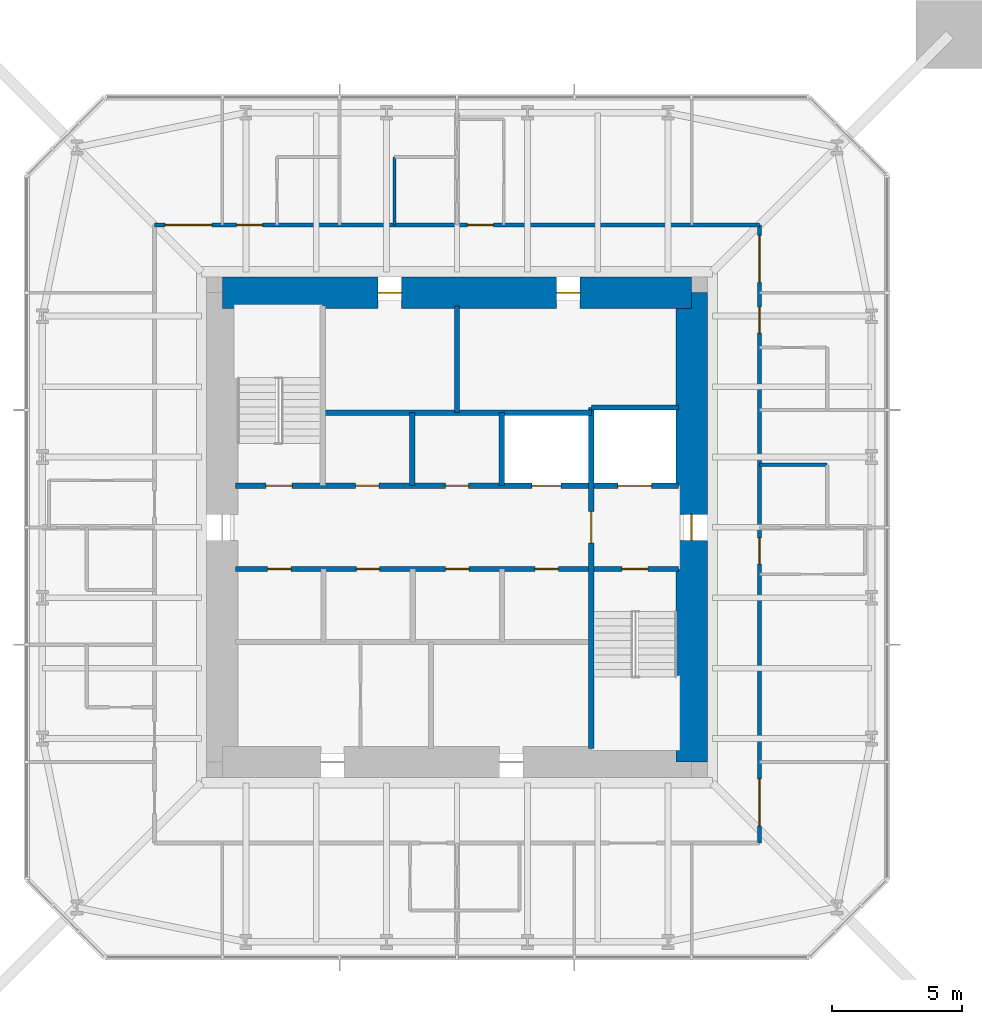
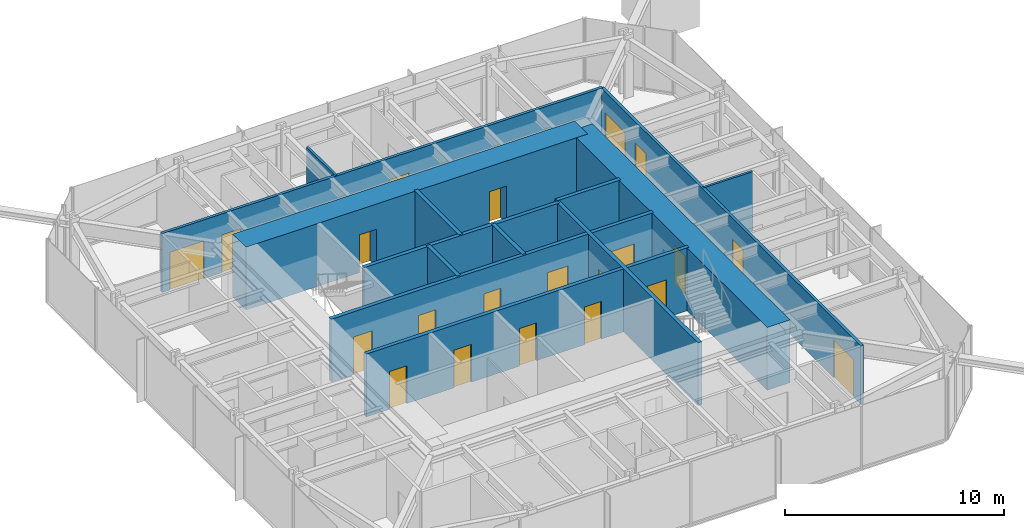
# One storey, part 7 of 9: 21 doors, 14 walls, 21 openings.
"""IFC4 building model written with IfcOpenShell, lengths in metres."""

import ifcopenshell
import ifcopenshell.guid

model = None  # the IFC model being written
_history = None  # IfcOwnerHistory: only IFC2X3 demands one
_inside = {}  # id of a spatial element -> (the spatial element, [elements in it])
_under = {}  # id of a project, library or spatial element -> (it, [spatial elements below it])
_declared = {}  # id of a project -> (the project, [libraries it declares])
_typed = {}  # id of a type object -> (the type object, [elements of that type])
_made_of = {}  # id of a material, layer set ... -> (it, [elements and type objects made of it])


def new_model(schema):
    """Start an empty IFC model of exactly this schema.

    Asked for "IFC4X3", IfcOpenShell would pick the latest addendum, in which some entities
    have other attributes; the version numbers below select the first issue.
    IFC2X3 requires an IfcOwnerHistory on every rooted entity: one is made here for all.
    """
    global model, _history
    if schema == "IFC4X3":
        model = ifcopenshell.file(schema_version=(4, 3, 0, 0))
    else:
        model = ifcopenshell.file(schema=schema)
    _inside.clear()
    _under.clear()
    _declared.clear()
    _typed.clear()
    _made_of.clear()
    _history = None
    if model.schema == "IFC2X3":
        org = make("IfcOrganization", Name="unknown")
        user = make(
            "IfcPersonAndOrganization",
            ThePerson=make("IfcPerson", FamilyName="unknown"),
            TheOrganization=org,
        )
        app = make(
            "IfcApplication",
            ApplicationDeveloper=org,
            Version="unknown",
            ApplicationFullName="unknown",
            ApplicationIdentifier="unknown",
        )
        _history = make(
            "IfcOwnerHistory",
            OwningUser=user,
            OwningApplication=app,
            ChangeAction="ADDED",
            CreationDate=0,
        )
    return model


def make(cls, **values):
    """One entity of the class cls with the attributes given. An attribute that is None is left unset."""
    return model.create_entity(
        cls, **{name: value for name, value in values.items() if value is not None}
    )


def rooted(cls, **values):
    """An entity with a GlobalId (a new one), such as an element, a storey or a relation."""
    return make(cls, GlobalId=ifcopenshell.guid.new(), OwnerHistory=_history, **values)


def si_unit(unit_type, name, prefix=None):
    """IfcSIUnit, for example si_unit("LENGTHUNIT", "METRE", prefix="MILLI")."""
    return make("IfcSIUnit", UnitType=unit_type, Prefix=prefix, Name=name)


def assignment(units):
    """IfcUnitAssignment: the units of a project."""
    return None if units is None else make("IfcUnitAssignment", Units=units)


def point(xyz):
    """IfcCartesianPoint."""
    return None if xyz is None else make("IfcCartesianPoint", Coordinates=xyz)


def direction(xyz):
    """IfcDirection."""
    return None if xyz is None else make("IfcDirection", DirectionRatios=xyz)


def frame(location, z_axis=None, x_axis=None):
    """IfcAxis2Placement3D, a coordinate frame: its origin and axes. An axis left out is left unset."""
    return make(
        "IfcAxis2Placement3D",
        Location=point(location),
        Axis=direction(z_axis),
        RefDirection=direction(x_axis),
    )


def frame_2d(location, x_axis=None):
    """IfcAxis2Placement2D, a coordinate frame in the plane: its origin and x axis."""
    return make(
        "IfcAxis2Placement2D", Location=point(location), RefDirection=direction(x_axis)
    )


def origin():
    """The frame at (0, 0, 0) with its axes left unset."""
    return frame((0.0, 0.0, 0.0))


def place(relative_to, where):
    """IfcLocalPlacement: puts the frame where relative to a parent placement (None: the world)."""
    return make(
        "IfcLocalPlacement", PlacementRelTo=relative_to, RelativePlacement=where
    )


def context(
    kind, dimensions, precision=None, world=None, true_north=None, identifier=None
):
    """IfcGeometricRepresentationContext, for example the 3D "Model" context."""
    return make(
        "IfcGeometricRepresentationContext",
        ContextIdentifier=identifier,
        ContextType=kind,
        CoordinateSpaceDimension=dimensions,
        Precision=precision,
        WorldCoordinateSystem=world,
        TrueNorth=true_north,
    )


def subcontext(parent, identifier, kind, view, scale=None):
    """IfcGeometricRepresentationSubContext, for example "Body" below "Model"."""
    return make(
        "IfcGeometricRepresentationSubContext",
        ContextIdentifier=identifier,
        ContextType=kind,
        ParentContext=parent,
        TargetScale=scale,
        TargetView=view,
    )


def project(units=None, contexts=None):
    """IfcProject with its units and contexts."""
    return rooted(
        "IfcProject",
        Name="project",
        RepresentationContexts=contexts,
        UnitsInContext=assignment(units),
    )


def spatial(cls, under=None, at=None, **own):
    """A site, building, storey or space (cls), placed at a placement, below another one or the project."""
    s = rooted(cls, ObjectPlacement=at, **own)
    if under is not None:
        _under.setdefault(under.id(), (under, []))[1].append(s)
    return s


def profile(cls, at=None, kind="AREA", **sizes):
    """A parametric profile (cls). Its sizes go by their IFC names, for example OverallWidth=200.0."""
    return make(cls, ProfileType=kind, Position=at, **sizes)


def rectangle(**sizes):
    """IfcRectangleProfileDef."""
    return profile("IfcRectangleProfileDef", **sizes)


def extrude(swept, where, along, depth):
    """IfcExtrudedAreaSolid: the profile swept, set in the frame where, extruded along a direction by depth."""
    return make(
        "IfcExtrudedAreaSolid",
        SweptArea=swept,
        Position=where,
        ExtrudedDirection=direction(along),
        Depth=depth,
    )


def shape(context_of_items, identifier, shape_type, items):
    """IfcShapeRepresentation: the items that make up one representation, for example the "Body"."""
    return make(
        "IfcShapeRepresentation",
        ContextOfItems=context_of_items,
        RepresentationIdentifier=identifier,
        RepresentationType=shape_type,
        Items=items,
    )


def material(Name=None, Category=None):
    """IfcMaterial."""
    return make("IfcMaterial", Name=Name, Category=Category)


def layer(
    of_material, thickness, ventilated=None, Name=None, Category=None, Priority=None
):
    """IfcMaterialLayer: one layer of a wall or slab, of a material (None: an air gap)."""
    return make(
        "IfcMaterialLayer",
        Material=of_material,
        LayerThickness=thickness,
        IsVentilated=ventilated,
        Name=Name,
        Category=Category,
        Priority=Priority,
    )


def layer_set(layers, Name=None):
    """IfcMaterialLayerSet."""
    return make("IfcMaterialLayerSet", MaterialLayers=layers, LayerSetName=Name)


def made_of(thing, what):
    """Note that an element or type object is made of a material, layer set ...; save() writes the relation."""
    if what is not None:
        _made_of.setdefault(what.id(), (what, []))[1].append(thing)
    return thing


def type_object(cls, material=None, **own):
    """A type object (cls), such as IfcWallType, which elements share."""
    return made_of(rooted(cls, **own), material)


def element(
    cls,
    number,
    at=None,
    inside=None,
    cuts=None,
    type_object=None,
    material=None,
    context=None,
    identifier="Body",
    shape_type=None,
    held_by="IfcProductDefinitionShape",
    body=None,
    shapes=None,
    **own,
):
    """One element of the class cls, such as IfcWall. Its Tag is "e" and its number.

    at: its placement. inside: the storey or other place that contains it. cuts: it is an
    opening in that element (IfcRelVoidsElement). A single representation is given by context,
    identifier, shape_type and body (its items); several are given by shapes. held_by: the class
    of the entity that holds the representations. save() writes the other relations.
    """
    e = rooted(cls, Tag="e%d" % number, ObjectPlacement=at, **own)
    if body is not None:
        shapes = [shape(context, identifier, shape_type, body)]
    if shapes is not None:
        e.Representation = make(held_by, Representations=shapes)
    if inside is not None:
        _inside.setdefault(inside.id(), (inside, []))[1].append(e)
    if cuts is not None:
        rooted(
            "IfcRelVoidsElement", RelatingBuildingElement=cuts, RelatedOpeningElement=e
        )
    if type_object is not None:
        _typed.setdefault(type_object.id(), (type_object, []))[1].append(e)
    return made_of(e, material)


def fill(opening, filler):
    """IfcRelFillsElement: the door or window that sits in an opening."""
    return rooted(
        "IfcRelFillsElement",
        RelatingOpeningElement=opening,
        RelatedBuildingElement=filler,
    )


def aggregate(whole, parts):
    """IfcRelAggregates: a whole, such as a stair, and the parts it consists of."""
    return rooted("IfcRelAggregates", RelatingObject=whole, RelatedObjects=parts)


def save(model, path):
    """Write the relations noted so far, then the file.

    IfcRelAggregates (storeys below a building ...), IfcRelContainedInSpatialStructure (elements
    in a storey), IfcRelDefinesByType, IfcRelAssociatesMaterial and IfcRelDeclares: one each for
    every whole, place, type object, material and project.
    """
    for whole, parts in _under.values():
        aggregate(whole, parts)
    for where, things in _inside.values():
        rooted(
            "IfcRelContainedInSpatialStructure",
            RelatedElements=things,
            RelatingStructure=where,
        )
    for kind, things in _typed.values():
        rooted("IfcRelDefinesByType", RelatedObjects=things, RelatingType=kind)
    for what, things in _made_of.values():
        rooted("IfcRelAssociatesMaterial", RelatedObjects=things, RelatingMaterial=what)
    for by, libraries in _declared.values():
        rooted("IfcRelDeclares", RelatingContext=by, RelatedDefinitions=libraries)
    model.write(path)


model = new_model("IFC4")

# Units and contexts
model_context = context("Model", 3, precision=1e-05, world=origin(), true_north=direction((0.0, 1.0)))
body_context = subcontext(model_context, "Body", "Model", "MODEL_VIEW")
ifc_project = project(units=[si_unit("LENGTHUNIT", "METRE"), si_unit("AREAUNIT", "SQUARE_METRE"), si_unit("VOLUMEUNIT", "CUBIC_METRE"), si_unit("PLANEANGLEUNIT", "RADIAN"), si_unit("MASSUNIT", "GRAM", prefix="KILO")], contexts=[model_context])

# Site, building, storey
site_placement = place(None, origin())
site = spatial("IfcSite", under=ifc_project, at=site_placement, CompositionType="ELEMENT")
building_placement = place(site_placement, origin())
building = spatial("IfcBuilding", under=site, at=building_placement, Name="Iwan Alto Co-Living Towers", CompositionType="ELEMENT")
storey_placement = place(building_placement, frame((0.0, 0.0, 236.0)))
storey = spatial("IfcBuildingStorey", under=building, at=storey_placement, Name="L64", CompositionType="ELEMENT", Elevation=236.0)

# Wall, openings, doors
ifc_material_1 = material(Name="Gypsum board")
ifc_layer_1 = layer(ifc_material_1, 0.02490234375, Name="Board", Category="Finish")
ifc_material_2 = material(Name="Steel ASTM A1003 ST33H cold-formed studs", Category="steel")
ifc_layer_2 = layer(ifc_material_2, 0.10009765625, Name="Studs", Category="Framing")
ifc_layer_3 = layer(ifc_material_1, 0.02490234375, Name="Board", Category="Finish")
ifc_layer_set_1 = layer_set([ifc_layer_1, ifc_layer_2, ifc_layer_3], Name="CORRIDOR WALL 150")
wall_type_1 = type_object("IfcWallType", Name="CORRIDOR WALL 150", PredefinedType="PARTITIONING", material=ifc_layer_set_1)
wall_1_placement = place(storey_placement, frame((-11.60009765625, 11.60009765625, 0.0), z_axis=(0.0, 0.0, 1.0), x_axis=(1.0, 0.0, 0.0)))
wall_1 = element("IfcWall", 1, at=wall_1_placement, inside=storey, type_object=wall_type_1, Name="Partition L64", PredefinedType="PARTITIONING", context=body_context, shape_type="SweptSolid", body=[
    extrude(rectangle(XDim=23.2001953125, YDim=0.14990234375, at=frame_2d((11.60009765625, 0.0))), origin(), (0.0, 0.0, 1.0), 3.27001953125),
])
opening_1_placement = place(wall_1_placement, frame((12.0, 0.0, 0.0)))
opening_1 = element("IfcOpeningElement", 2, at=opening_1_placement, cuts=wall_1, Name="Opening D3", PredefinedType="OPENING", context=body_context, shape_type="SweptSolid", body=[
    extrude(rectangle(XDim=1.0, YDim=2.10009765625, at=frame_2d((0.5, 1.050048828125))), frame((0.0, 0.0849609375, 0.0), z_axis=(0.0, -1.0, 0.0), x_axis=(1.0, 0.0, 0.0)), (0.0, 0.0, 1.0), 0.169921875),
])
opening_2_placement = place(wall_1_placement, frame((3.14990234375, 0.0, 0.0)))
opening_2 = element("IfcOpeningElement", 3, at=opening_2_placement, cuts=wall_1, Name="Opening D3", PredefinedType="OPENING", context=body_context, shape_type="SweptSolid", body=[
    extrude(rectangle(XDim=1.0, YDim=2.10009765625, at=frame_2d((0.5, 1.050048828125))), frame((0.0, 0.0849609375, 0.0), z_axis=(0.0, -1.0, 0.0), x_axis=(1.0, 0.0, 0.0)), (0.0, 0.0, 1.0), 0.169921875),
])
opening_3_placement = place(wall_1_placement, frame((0.39990234375, 0.0, 0.0)))
opening_3 = element("IfcOpeningElement", 4, at=opening_3_placement, cuts=wall_1, Name="Opening D9", PredefinedType="OPENING", context=body_context, shape_type="SweptSolid", body=[
    extrude(rectangle(XDim=1.800048828125, YDim=2.10009765625, at=frame_2d((0.89990234375, 1.050048828125))), frame((0.0, 0.0849609375, 0.0), z_axis=(0.0, -1.0, 0.0), x_axis=(1.0, 0.0, 0.0)), (0.0, 0.0, 1.0), 0.169921875),
])
ifc_material_3 = material(Name="Steel frame with timber leaf", Category="steel")
door_type_1 = type_object("IfcDoorType", Name="FLAT ENTRANCE DOOR FD30S 1000X2100", OperationType="SINGLE_SWING_LEFT", PredefinedType="DOOR", material=ifc_material_3)
door_1_placement = place(opening_1_placement, origin())
door_1 = element("IfcDoor", 5, at=door_1_placement, inside=storey, type_object=door_type_1, Name="Apartment foyer door L64", OperationType="SINGLE_SWING_LEFT", OverallHeight=2.10009765625, OverallWidth=1.0, PredefinedType="DOOR", context=body_context, shape_type="SweptSolid", body=[
    extrude(rectangle(XDim=1.0, YDim=2.10009765625, at=frame_2d((0.5, 1.050048828125))), frame((0.0, 0.02490234375, 0.0), z_axis=(0.0, -1.0, 0.0), x_axis=(1.0, 0.0, 0.0)), (0.0, 0.0, 1.0), 0.050048828125),
])
fill(opening_1, door_1)
door_2_placement = place(opening_2_placement, origin())
door_2 = element("IfcDoor", 6, at=door_2_placement, inside=storey, type_object=door_type_1, Name="Studio door L64", OperationType="SINGLE_SWING_LEFT", OverallHeight=2.10009765625, OverallWidth=1.0, PredefinedType="DOOR", context=body_context, shape_type="SweptSolid", body=[
    extrude(rectangle(XDim=1.0, YDim=2.10009765625, at=frame_2d((0.5, 1.050048828125))), frame((0.0, 0.02490234375, 0.0), z_axis=(0.0, -1.0, 0.0), x_axis=(1.0, 0.0, 0.0)), (0.0, 0.0, 1.0), 0.050048828125),
])
fill(opening_2, door_2)
ifc_material_4 = material(Name="Steel frame with timber leaf", Category="steel")
door_type_2 = type_object("IfcDoorType", Name="LOUNGE DOOR FD30S 1800X2100", OperationType="DOUBLE_DOOR_SINGLE_SWING", PredefinedType="DOOR", material=ifc_material_4)
door_3_placement = place(opening_3_placement, origin())
door_3 = element("IfcDoor", 7, at=door_3_placement, inside=storey, type_object=door_type_2, Name="Courtyard lounge door L64", OperationType="DOUBLE_DOOR_SINGLE_SWING", OverallHeight=2.10009765625, OverallWidth=1.800048828125, PredefinedType="DOOR", context=body_context, shape_type="SweptSolid", body=[
    extrude(rectangle(XDim=1.800048828125, YDim=2.10009765625, at=frame_2d((0.89990234375, 1.050048828125))), frame((0.0, 0.02490234375, 0.0), z_axis=(0.0, -1.0, 0.0), x_axis=(1.0, 0.0, 0.0)), (0.0, 0.0, 1.0), 0.050048828125),
])
fill(opening_3, door_3)

wall_2_placement = place(storey_placement, frame((11.60009765625, -12.10009765625, 0.0), z_axis=(0.0, 0.0, 1.0), x_axis=(0.0, 1.0, 0.0)))
wall_2 = element("IfcWall", 8, at=wall_2_placement, inside=storey, type_object=wall_type_1, Name="Partition L64", PredefinedType="PARTITIONING", context=body_context, shape_type="SweptSolid", body=[
    extrude(rectangle(XDim=23.7001953125, YDim=0.14990234375, at=frame_2d((11.85009765625, 0.0))), origin(), (0.0, 0.0, 1.0), 3.27001953125),
])
opening_4_placement = place(wall_2_placement, frame((10.699951171875, 0.0, 0.0)))
opening_4 = element("IfcOpeningElement", 9, at=opening_4_placement, cuts=wall_2, Name="Opening D3", PredefinedType="OPENING", context=body_context, shape_type="SweptSolid", body=[
    extrude(rectangle(XDim=1.0, YDim=2.10009765625, at=frame_2d((0.5, 1.050048828125))), frame((0.0, 0.0849609375, 0.0), z_axis=(0.0, -1.0, 0.0), x_axis=(1.0, 0.0, 0.0)), (0.0, 0.0, 1.0), 0.169921875),
])
opening_5_placement = place(wall_2_placement, frame((19.550048828125, 0.0, 0.0)))
opening_5 = element("IfcOpeningElement", 10, at=opening_5_placement, cuts=wall_2, Name="Opening D3", PredefinedType="OPENING", context=body_context, shape_type="SweptSolid", body=[
    extrude(rectangle(XDim=1.0, YDim=2.10009765625, at=frame_2d((0.5, 1.050048828125))), frame((0.0, 0.0849609375, 0.0), z_axis=(0.0, -1.0, 0.0), x_axis=(1.0, 0.0, 0.0)), (0.0, 0.0, 1.0), 0.169921875),
])
opening_6_placement = place(wall_2_placement, frame((21.5, 0.0, 0.0)))
opening_6 = element("IfcOpeningElement", 11, at=opening_6_placement, cuts=wall_2, Name="Opening D9", PredefinedType="OPENING", context=body_context, shape_type="SweptSolid", body=[
    extrude(rectangle(XDim=1.800048828125, YDim=2.10009765625, at=frame_2d((0.89990234375, 1.050048828125))), frame((0.0, 0.0849609375, 0.0), z_axis=(0.0, -1.0, 0.0), x_axis=(1.0, 0.0, 0.0)), (0.0, 0.0, 1.0), 0.169921875),
])
opening_7_placement = place(wall_2_placement, frame((0.64990234375, 0.0, 0.0)))
opening_7 = element("IfcOpeningElement", 12, at=opening_7_placement, cuts=wall_2, Name="Opening D9", PredefinedType="OPENING", context=body_context, shape_type="SweptSolid", body=[
    extrude(rectangle(XDim=1.800048828125, YDim=2.10009765625, at=frame_2d((0.89990234375, 1.050048828125))), frame((0.0, 0.0849609375, 0.0), z_axis=(0.0, -1.0, 0.0), x_axis=(1.0, 0.0, 0.0)), (0.0, 0.0, 1.0), 0.169921875),
])
door_4_placement = place(opening_4_placement, frame((1.0, 0.0, 0.0), z_axis=(0.0, 0.0, 1.0), x_axis=(-1.0, 0.0, 0.0)))
door_4 = element("IfcDoor", 13, at=door_4_placement, inside=storey, type_object=door_type_1, Name="Apartment foyer door L64", OperationType="SINGLE_SWING_RIGHT", OverallHeight=2.10009765625, OverallWidth=1.0, PredefinedType="DOOR", context=body_context, shape_type="SweptSolid", body=[
    extrude(rectangle(XDim=1.0, YDim=2.10009765625, at=frame_2d((0.5, 1.050048828125))), frame((0.0, 0.02490234375, 0.0), z_axis=(0.0, -1.0, 0.0), x_axis=(1.0, 0.0, 0.0)), (0.0, 0.0, 1.0), 0.050048828125),
])
fill(opening_4, door_4)
door_5_placement = place(opening_5_placement, frame((1.0, 0.0, 0.0), z_axis=(0.0, 0.0, 1.0), x_axis=(-1.0, 0.0, 0.0)))
door_5 = element("IfcDoor", 14, at=door_5_placement, inside=storey, type_object=door_type_1, Name="Studio door L64", OperationType="SINGLE_SWING_RIGHT", OverallHeight=2.10009765625, OverallWidth=1.0, PredefinedType="DOOR", context=body_context, shape_type="SweptSolid", body=[
    extrude(rectangle(XDim=1.0, YDim=2.10009765625, at=frame_2d((0.5, 1.050048828125))), frame((0.0, 0.02490234375, 0.0), z_axis=(0.0, -1.0, 0.0), x_axis=(1.0, 0.0, 0.0)), (0.0, 0.0, 1.0), 0.050048828125),
])
fill(opening_5, door_5)
door_6_placement = place(opening_6_placement, frame((1.800048828125, 0.0, 0.0), z_axis=(0.0, 0.0, 1.0), x_axis=(-1.0, 0.0, 0.0)))
door_6 = element("IfcDoor", 15, at=door_6_placement, inside=storey, type_object=door_type_2, Name="Study lounge door L64", OperationType="DOUBLE_DOOR_SINGLE_SWING", OverallHeight=2.10009765625, OverallWidth=1.800048828125, PredefinedType="DOOR", context=body_context, shape_type="SweptSolid", body=[
    extrude(rectangle(XDim=1.800048828125, YDim=2.10009765625, at=frame_2d((0.89990234375, 1.050048828125))), frame((0.0, 0.02490234375, 0.0), z_axis=(0.0, -1.0, 0.0), x_axis=(1.0, 0.0, 0.0)), (0.0, 0.0, 1.0), 0.050048828125),
])
fill(opening_6, door_6)
door_7_placement = place(opening_7_placement, frame((1.800048828125, 0.0, 0.0), z_axis=(0.0, 0.0, 1.0), x_axis=(-1.0, 0.0, 0.0)))
door_7 = element("IfcDoor", 16, at=door_7_placement, inside=storey, type_object=door_type_2, Name="Courtyard lounge door L64", OperationType="DOUBLE_DOOR_SINGLE_SWING", OverallHeight=2.10009765625, OverallWidth=1.800048828125, PredefinedType="DOOR", context=body_context, shape_type="SweptSolid", body=[
    extrude(rectangle(XDim=1.800048828125, YDim=2.10009765625, at=frame_2d((0.89990234375, 1.050048828125))), frame((0.0, 0.02490234375, 0.0), z_axis=(0.0, -1.0, 0.0), x_axis=(1.0, 0.0, 0.0)), (0.0, 0.0, 1.0), 0.050048828125),
])
fill(opening_7, door_7)

ifc_material_5 = material(Name="Concrete f'c 70 MPa", Category="concrete")
ifc_layer_4 = layer(ifc_material_5, 0.199951171875)
ifc_layer_set_2 = layer_set([ifc_layer_4], Name="SHAFT WALL 200")
wall_type_2 = type_object("IfcWallType", Name="SHAFT WALL 200", PredefinedType="SOLIDWALL", material=ifc_layer_set_2)
wall_3_placement = place(storey_placement, frame((-8.489990234375, -1.60009765625, 0.0), z_axis=(0.0, 0.0, 1.0), x_axis=(1.0, 0.0, 0.0)))
wall_3 = element("IfcWall", 17, at=wall_3_placement, inside=storey, type_object=wall_type_2, Name="Shaft wall L64", PredefinedType="SOLIDWALL", context=body_context, shape_type="SweptSolid", body=[
    extrude(rectangle(XDim=16.97998046875, YDim=0.199951171875, at=frame_2d((8.489990234375, 0.0))), origin(), (0.0, 0.0, 1.0), 3.5),
])
opening_8_placement = place(wall_3_placement, frame((14.81005859375, 0.0, 0.0)))
opening_8 = element("IfcOpeningElement", 18, at=opening_8_placement, cuts=wall_3, Name="Opening D5", PredefinedType="OPENING", context=body_context, shape_type="SweptSolid", body=[
    extrude(rectangle(XDim=1.0, YDim=2.10009765625, at=frame_2d((0.5, 1.050048828125))), frame((0.0, 0.10986328125, 0.0), z_axis=(0.0, -1.0, 0.0), x_axis=(1.0, 0.0, 0.0)), (0.0, 0.0, 1.0), 0.219970703125),
])
opening_9_placement = place(wall_3_placement, frame((1.23193359375, 0.0, 0.0)))
opening_9 = element("IfcOpeningElement", 19, at=opening_9_placement, cuts=wall_3, Name="Opening D15", PredefinedType="OPENING", context=body_context, shape_type="SweptSolid", body=[
    extrude(rectangle(XDim=0.89990234375, YDim=2.10009765625, at=frame_2d((0.449951171875, 1.050048828125))), frame((0.0, 0.10986328125, 0.0), z_axis=(0.0, -1.0, 0.0), x_axis=(1.0, 0.0, 0.0)), (0.0, 0.0, 1.0), 0.219970703125),
])
opening_10_placement = place(wall_3_placement, frame((4.626953125, 0.0, 0.0)))
opening_10 = element("IfcOpeningElement", 20, at=opening_10_placement, cuts=wall_3, Name="Opening D15", PredefinedType="OPENING", context=body_context, shape_type="SweptSolid", body=[
    extrude(rectangle(XDim=0.89990234375, YDim=2.10009765625, at=frame_2d((0.449951171875, 1.050048828125))), frame((0.0, 0.10986328125, 0.0), z_axis=(0.0, -1.0, 0.0), x_axis=(1.0, 0.0, 0.0)), (0.0, 0.0, 1.0), 0.219970703125),
])
opening_11_placement = place(wall_3_placement, frame((8.052001953125, 0.0, 0.0)))
opening_11 = element("IfcOpeningElement", 21, at=opening_11_placement, cuts=wall_3, Name="Opening D15", PredefinedType="OPENING", context=body_context, shape_type="SweptSolid", body=[
    extrude(rectangle(XDim=0.89990234375, YDim=2.10009765625, at=frame_2d((0.449951171875, 1.050048828125))), frame((0.0, 0.10986328125, 0.0), z_axis=(0.0, -1.0, 0.0), x_axis=(1.0, 0.0, 0.0)), (0.0, 0.0, 1.0), 0.219970703125),
])
opening_12_placement = place(wall_3_placement, frame((11.47802734375, 0.0, 0.0)))
opening_12 = element("IfcOpeningElement", 22, at=opening_12_placement, cuts=wall_3, Name="Opening D15", PredefinedType="OPENING", context=body_context, shape_type="SweptSolid", body=[
    extrude(rectangle(XDim=0.89990234375, YDim=2.10009765625, at=frame_2d((0.449951171875, 1.050048828125))), frame((0.0, 0.10986328125, 0.0), z_axis=(0.0, -1.0, 0.0), x_axis=(1.0, 0.0, 0.0)), (0.0, 0.0, 1.0), 0.219970703125),
])
ifc_material_6 = material(Name="Steel frame with timber leaf", Category="steel")
door_type_3 = type_object("IfcDoorType", Name="CORE ROOM DOOR FD60S 900X2100", OperationType="SINGLE_SWING_LEFT", PredefinedType="DOOR", material=ifc_material_6)
door_8_placement = place(opening_9_placement, frame((0.89990234375, 0.0, 0.0), z_axis=(0.0, 0.0, 1.0), x_axis=(-1.0, 0.0, 0.0)))
door_8 = element("IfcDoor", 23, at=door_8_placement, inside=storey, type_object=door_type_3, Name="Comms room door L64", OperationType="SINGLE_SWING_LEFT", OverallHeight=2.10009765625, OverallWidth=0.89990234375, PredefinedType="DOOR", context=body_context, shape_type="SweptSolid", body=[
    extrude(rectangle(XDim=0.89990234375, YDim=2.10009765625, at=frame_2d((0.449951171875, 1.050048828125))), frame((0.0, 0.02490234375, 0.0), z_axis=(0.0, -1.0, 0.0), x_axis=(1.0, 0.0, 0.0)), (0.0, 0.0, 1.0), 0.050048828125),
])
fill(opening_9, door_8)
door_9_placement = place(opening_10_placement, frame((0.89990234375, 0.0, 0.0), z_axis=(0.0, 0.0, 1.0), x_axis=(-1.0, 0.0, 0.0)))
door_9 = element("IfcDoor", 24, at=door_9_placement, inside=storey, type_object=door_type_3, Name="Staff WC door L64", OperationType="SINGLE_SWING_RIGHT", OverallHeight=2.10009765625, OverallWidth=0.89990234375, PredefinedType="DOOR", context=body_context, shape_type="SweptSolid", body=[
    extrude(rectangle(XDim=0.89990234375, YDim=2.10009765625, at=frame_2d((0.449951171875, 1.050048828125))), frame((0.0, 0.02490234375, 0.0), z_axis=(0.0, -1.0, 0.0), x_axis=(1.0, 0.0, 0.0)), (0.0, 0.0, 1.0), 0.050048828125),
])
fill(opening_10, door_9)
door_10_placement = place(opening_11_placement, frame((0.89990234375, 0.0, 0.0), z_axis=(0.0, 0.0, 1.0), x_axis=(-1.0, 0.0, 0.0)))
door_10 = element("IfcDoor", 25, at=door_10_placement, inside=storey, type_object=door_type_3, Name="Comms room door L64", OperationType="SINGLE_SWING_RIGHT", OverallHeight=2.10009765625, OverallWidth=0.89990234375, PredefinedType="DOOR", context=body_context, shape_type="SweptSolid", body=[
    extrude(rectangle(XDim=0.89990234375, YDim=2.10009765625, at=frame_2d((0.449951171875, 1.050048828125))), frame((0.0, 0.02490234375, 0.0), z_axis=(0.0, -1.0, 0.0), x_axis=(1.0, 0.0, 0.0)), (0.0, 0.0, 1.0), 0.050048828125),
])
fill(opening_11, door_10)
door_11_placement = place(opening_12_placement, frame((0.89990234375, 0.0, 0.0), z_axis=(0.0, 0.0, 1.0), x_axis=(-1.0, 0.0, 0.0)))
door_11 = element("IfcDoor", 26, at=door_11_placement, inside=storey, type_object=door_type_3, Name="Staff WC door L64", OperationType="SINGLE_SWING_RIGHT", OverallHeight=2.10009765625, OverallWidth=0.89990234375, PredefinedType="DOOR", context=body_context, shape_type="SweptSolid", body=[
    extrude(rectangle(XDim=0.89990234375, YDim=2.10009765625, at=frame_2d((0.449951171875, 1.050048828125))), frame((0.0, 0.02490234375, 0.0), z_axis=(0.0, -1.0, 0.0), x_axis=(1.0, 0.0, 0.0)), (0.0, 0.0, 1.0), 0.050048828125),
])
fill(opening_12, door_11)
ifc_material_7 = material(Name="Steel frame with timber leaf", Category="steel")
door_type_4 = type_object("IfcDoorType", Name="STAIR DOOR FD120S 1000X2100", OperationType="SINGLE_SWING_LEFT", PredefinedType="DOOR", material=ifc_material_7)
door_12_placement = place(opening_8_placement, frame((1.0, 0.0, 0.0), z_axis=(0.0, 0.0, 1.0), x_axis=(-1.0, 0.0, 0.0)))
door_12 = element("IfcDoor", 27, at=door_12_placement, inside=storey, type_object=door_type_4, Name="Stair S2 door L64", OperationType="SINGLE_SWING_RIGHT", OverallHeight=2.10009765625, OverallWidth=1.0, PredefinedType="DOOR", context=body_context, shape_type="SweptSolid", body=[
    extrude(rectangle(XDim=1.0, YDim=2.10009765625, at=frame_2d((0.5, 1.050048828125))), frame((0.0, 0.02490234375, 0.0), z_axis=(0.0, -1.0, 0.0), x_axis=(1.0, 0.0, 0.0)), (0.0, 0.0, 1.0), 0.050048828125),
])
fill(opening_8, door_12)

wall_4_placement = place(storey_placement, frame((-8.489990234375, 1.60009765625, 0.0), z_axis=(0.0, 0.0, 1.0), x_axis=(1.0, 0.0, 0.0)))
wall_4 = element("IfcWall", 28, at=wall_4_placement, inside=storey, type_object=wall_type_2, Name="Shaft wall L64", PredefinedType="SOLIDWALL", context=body_context, shape_type="SweptSolid", body=[
    extrude(rectangle(XDim=16.97998046875, YDim=0.199951171875, at=frame_2d((8.489990234375, 0.0))), origin(), (0.0, 0.0, 1.0), 3.5),
])
opening_13_placement = place(wall_4_placement, frame((1.169921875, 0.0, 0.0)))
opening_13 = element("IfcOpeningElement", 29, at=opening_13_placement, cuts=wall_4, Name="Opening D5", PredefinedType="OPENING", context=body_context, shape_type="SweptSolid", body=[
    extrude(rectangle(XDim=1.0, YDim=2.10009765625, at=frame_2d((0.5, 1.050048828125))), frame((0.0, 0.10986328125, 0.0), z_axis=(0.0, -1.0, 0.0), x_axis=(1.0, 0.0, 0.0)), (0.0, 0.0, 1.0), 0.219970703125),
])
opening_14_placement = place(wall_4_placement, frame((4.60595703125, 0.0, 0.0)))
opening_14 = element("IfcOpeningElement", 30, at=opening_14_placement, cuts=wall_4, Name="Opening D15", PredefinedType="OPENING", context=body_context, shape_type="SweptSolid", body=[
    extrude(rectangle(XDim=0.89990234375, YDim=2.10009765625, at=frame_2d((0.449951171875, 1.050048828125))), frame((0.0, 0.10986328125, 0.0), z_axis=(0.0, -1.0, 0.0), x_axis=(1.0, 0.0, 0.0)), (0.0, 0.0, 1.0), 0.219970703125),
])
opening_15_placement = place(wall_4_placement, frame((8.0400390625, 0.0, 0.0)))
opening_15 = element("IfcOpeningElement", 31, at=opening_15_placement, cuts=wall_4, Name="Opening D15", PredefinedType="OPENING", context=body_context, shape_type="SweptSolid", body=[
    extrude(rectangle(XDim=0.89990234375, YDim=2.10009765625, at=frame_2d((0.449951171875, 1.050048828125))), frame((0.0, 0.10986328125, 0.0), z_axis=(0.0, -1.0, 0.0), x_axis=(1.0, 0.0, 0.0)), (0.0, 0.0, 1.0), 0.219970703125),
])
opening_16_placement = place(wall_4_placement, frame((11.3740234375, 0.0, 0.0)))
opening_16 = element("IfcOpeningElement", 32, at=opening_16_placement, cuts=wall_4, Name="Opening LD", PredefinedType="OPENING", context=body_context, shape_type="SweptSolid", body=[
    extrude(rectangle(XDim=1.10009765625, YDim=2.10009765625, at=frame_2d((0.550048828125, 1.050048828125))), frame((0.0, 0.10986328125, 0.0), z_axis=(0.0, -1.0, 0.0), x_axis=(1.0, 0.0, 0.0)), (0.0, 0.0, 1.0), 0.219970703125),
])
opening_17_placement = place(wall_4_placement, frame((14.659912109375, 0.0, 0.0)))
opening_17 = element("IfcOpeningElement", 33, at=opening_17_placement, cuts=wall_4, Name="Opening LD2", PredefinedType="OPENING", context=body_context, shape_type="SweptSolid", body=[
    extrude(rectangle(XDim=1.300048828125, YDim=2.10009765625, at=frame_2d((0.64990234375, 1.050048828125))), frame((0.0, 0.10986328125, 0.0), z_axis=(0.0, -1.0, 0.0), x_axis=(1.0, 0.0, 0.0)), (0.0, 0.0, 1.0), 0.219970703125),
])
door_13_placement = place(opening_14_placement, origin())
door_13 = element("IfcDoor", 34, at=door_13_placement, inside=storey, type_object=door_type_3, Name="Guest pantry door L64", OperationType="SINGLE_SWING_LEFT", OverallHeight=2.10009765625, OverallWidth=0.89990234375, PredefinedType="DOOR", context=body_context, shape_type="SweptSolid", body=[
    extrude(rectangle(XDim=0.89990234375, YDim=2.10009765625, at=frame_2d((0.449951171875, 1.050048828125))), frame((0.0, 0.02490234375, 0.0), z_axis=(0.0, -1.0, 0.0), x_axis=(1.0, 0.0, 0.0)), (0.0, 0.0, 1.0), 0.050048828125),
])
fill(opening_14, door_13)
door_14_placement = place(opening_15_placement, origin())
door_14 = element("IfcDoor", 35, at=door_14_placement, inside=storey, type_object=door_type_3, Name="Linen store door L64", OperationType="SINGLE_SWING_LEFT", OverallHeight=2.10009765625, OverallWidth=0.89990234375, PredefinedType="DOOR", context=body_context, shape_type="SweptSolid", body=[
    extrude(rectangle(XDim=0.89990234375, YDim=2.10009765625, at=frame_2d((0.449951171875, 1.050048828125))), frame((0.0, 0.02490234375, 0.0), z_axis=(0.0, -1.0, 0.0), x_axis=(1.0, 0.0, 0.0)), (0.0, 0.0, 1.0), 0.050048828125),
])
fill(opening_15, door_14)
ifc_material_8 = material(Name="Steel frame with timber leaf", Category="steel")
door_type_5 = type_object("IfcDoorType", Name="LIFT LANDING DOOR 1100X2100", OperationType="DOUBLE_DOOR_SLIDING", PredefinedType="DOOR", material=ifc_material_8)
door_15_placement = place(opening_16_placement, origin())
door_15 = element("IfcDoor", 36, at=door_15_placement, inside=storey, type_object=door_type_5, Name="Lift P4-3 landing door L64", OperationType="DOUBLE_DOOR_SLIDING", OverallHeight=2.10009765625, OverallWidth=1.10009765625, PredefinedType="DOOR", context=body_context, shape_type="SweptSolid", body=[
    extrude(rectangle(XDim=1.10009765625, YDim=2.10009765625, at=frame_2d((0.550048828125, 1.050048828125))), frame((0.0, 0.02490234375, 0.0), z_axis=(0.0, -1.0, 0.0), x_axis=(1.0, 0.0, 0.0)), (0.0, 0.0, 1.0), 0.050048828125),
])
fill(opening_16, door_15)
ifc_material_9 = material(Name="Steel frame with timber leaf", Category="steel")
door_type_6 = type_object("IfcDoorType", Name="LIFT LANDING DOOR 1300X2100", OperationType="SLIDING_TO_LEFT", PredefinedType="DOOR", material=ifc_material_9)
door_16_placement = place(opening_17_placement, origin())
door_16 = element("IfcDoor", 37, at=door_16_placement, inside=storey, type_object=door_type_6, Name="Lift FL1 landing door L64", OperationType="SLIDING_TO_LEFT", OverallHeight=2.10009765625, OverallWidth=1.300048828125, PredefinedType="DOOR", context=body_context, shape_type="SweptSolid", body=[
    extrude(rectangle(XDim=1.300048828125, YDim=2.10009765625, at=frame_2d((0.64990234375, 1.050048828125))), frame((0.0, 0.02490234375, 0.0), z_axis=(0.0, -1.0, 0.0), x_axis=(1.0, 0.0, 0.0)), (0.0, 0.0, 1.0), 0.050048828125),
])
fill(opening_17, door_16)
door_17_placement = place(opening_13_placement, origin())
door_17 = element("IfcDoor", 38, at=door_17_placement, inside=storey, type_object=door_type_4, Name="Stair S1 door L64", OperationType="SINGLE_SWING_RIGHT", OverallHeight=2.10009765625, OverallWidth=1.0, PredefinedType="DOOR", context=body_context, shape_type="SweptSolid", body=[
    extrude(rectangle(XDim=1.0, YDim=2.10009765625, at=frame_2d((0.5, 1.050048828125))), frame((0.0, 0.02490234375, 0.0), z_axis=(0.0, -1.0, 0.0), x_axis=(1.0, 0.0, 0.0)), (0.0, 0.0, 1.0), 0.050048828125),
])
fill(opening_13, door_17)

# Walls
wall_5_placement = place(storey_placement, frame((-5.14990234375, 4.39990234375, 0.0), z_axis=(0.0, 0.0, 1.0), x_axis=(1.0, 0.0, 0.0)))
element("IfcWall", 39, at=wall_5_placement, inside=storey, type_object=wall_type_2, Name="Shaft wall L64", PredefinedType="SOLIDWALL", context=body_context, shape_type="SweptSolid", body=[
    extrude(rectangle(XDim=10.2998046875, YDim=0.199951171875, at=frame_2d((5.14990234375, 0.0))), origin(), (0.0, 0.0, 1.0), 3.5),
])
wall_6_placement = place(storey_placement, frame((5.14990234375, 4.60009765625, 0.0), z_axis=(0.0, 0.0, 1.0), x_axis=(1.0, 0.0, 0.0)))
element("IfcWall", 40, at=wall_6_placement, inside=storey, type_object=wall_type_2, Name="Shaft wall L64", PredefinedType="SOLIDWALL", context=body_context, shape_type="SweptSolid", body=[
    extrude(rectangle(XDim=3.340087890625, YDim=0.199951171875, at=frame_2d((1.669921875, 0.0))), origin(), (0.0, 0.0, 1.0), 3.5),
])

# Wall, opening, door
wall_7_placement = place(storey_placement, frame((5.14990234375, -8.489990234375, 0.0), z_axis=(0.0, 0.0, 1.0), x_axis=(0.0, 1.0, 0.0)))
wall_7 = element("IfcWall", 41, at=wall_7_placement, inside=storey, type_object=wall_type_2, Name="Shaft wall L64", PredefinedType="SOLIDWALL", context=body_context, shape_type="SweptSolid", body=[
    extrude(rectangle(XDim=13.090087890625, YDim=0.199951171875, at=frame_2d((6.544921875, 0.0))), origin(), (0.0, 0.0, 1.0), 3.5),
])
opening_18_placement = place(wall_7_placement, frame((7.889892578125, 0.0, 0.0)))
opening_18 = element("IfcOpeningElement", 42, at=opening_18_placement, cuts=wall_7, Name="Opening D6", PredefinedType="OPENING", context=body_context, shape_type="SweptSolid", body=[
    extrude(rectangle(XDim=1.199951171875, YDim=2.10009765625, at=frame_2d((0.60009765625, 1.050048828125))), frame((0.0, 0.10986328125, 0.0), z_axis=(0.0, -1.0, 0.0), x_axis=(1.0, 0.0, 0.0)), (0.0, 0.0, 1.0), 0.219970703125),
])
ifc_material_10 = material(Name="Steel frame with timber leaf", Category="steel")
door_type_7 = type_object("IfcDoorType", Name="LOBBY DOOR FD120S 1200X2100", OperationType="SINGLE_SWING_LEFT", PredefinedType="DOOR", material=ifc_material_10)
door_18_placement = place(opening_18_placement, frame((1.199951171875, 0.0, 0.0), z_axis=(0.0, 0.0, 1.0), x_axis=(-1.0, 0.0, 0.0)))
door_18 = element("IfcDoor", 43, at=door_18_placement, inside=storey, type_object=door_type_7, Name="Firefighting lobby door L64", OperationType="SINGLE_SWING_RIGHT", OverallHeight=2.10009765625, OverallWidth=1.199951171875, PredefinedType="DOOR", context=body_context, shape_type="SweptSolid", body=[
    extrude(rectangle(XDim=1.199951171875, YDim=2.10009765625, at=frame_2d((0.60009765625, 1.050048828125))), frame((0.0, 0.02490234375, 0.0), z_axis=(0.0, -1.0, 0.0), x_axis=(1.0, 0.0, 0.0)), (0.0, 0.0, 1.0), 0.050048828125),
])
fill(opening_18, door_18)

# Walls
wall_8_placement = place(storey_placement, frame((1.717041015625, 1.60009765625, 0.0), z_axis=(0.0, 0.0, 1.0), x_axis=(0.0, 1.0, 0.0)))
element("IfcWall", 44, at=wall_8_placement, inside=storey, type_object=wall_type_2, Name="Shaft wall L64", PredefinedType="SOLIDWALL", context=body_context, shape_type="SweptSolid", body=[
    extrude(rectangle(XDim=2.7998046875, YDim=0.199951171875, at=frame_2d((1.39990234375, 0.0))), origin(), (0.0, 0.0, 1.0), 3.5),
])
wall_9_placement = place(storey_placement, frame((0.0, 4.39990234375, 0.0), z_axis=(0.0, 0.0, 1.0), x_axis=(0.0, 1.0, 0.0)))
element("IfcWall", 45, at=wall_9_placement, inside=storey, type_object=wall_type_2, Name="Shaft wall L64", PredefinedType="SOLIDWALL", context=body_context, shape_type="SweptSolid", body=[
    extrude(rectangle(XDim=4.090087890625, YDim=0.199951171875, at=frame_2d((2.044921875, 0.0))), origin(), (0.0, 0.0, 1.0), 3.5),
])
wall_10_placement = place(storey_placement, frame((-1.717041015625, 1.60009765625, 0.0), z_axis=(0.0, 0.0, 1.0), x_axis=(0.0, 1.0, 0.0)))
element("IfcWall", 46, at=wall_10_placement, inside=storey, type_object=wall_type_2, Name="Shaft wall L64", PredefinedType="SOLIDWALL", context=body_context, shape_type="SweptSolid", body=[
    extrude(rectangle(XDim=2.7998046875, YDim=0.199951171875, at=frame_2d((1.39990234375, 0.0))), origin(), (0.0, 0.0, 1.0), 3.5),
])

# Wall, openings, doors
ifc_material_11 = material(Name="Concrete f'c 70 MPa", Category="concrete")
ifc_layer_5 = layer(ifc_material_11, 1.199951171875)
ifc_layer_set_3 = layer_set([ifc_layer_5], Name="T1 CORE WALL 1200")
wall_type_3 = type_object("IfcWallType", Name="T1 CORE WALL 1200", PredefinedType="SHEAR", material=ifc_layer_set_3)
wall_11_placement = place(storey_placement, frame((9.0, 9.0, 0.0), z_axis=(0.0, 0.0, 1.0), x_axis=(-1.0, 0.0, 0.0)))
wall_11 = element("IfcWall", 47, at=wall_11_placement, inside=storey, type_object=wall_type_3, Name="T1 core wall N L64", PredefinedType="SHEAR", context=body_context, shape_type="SweptSolid", body=[
    extrude(rectangle(XDim=18.0, YDim=1.199951171875, at=frame_2d((9.0, 0.0))), origin(), (0.0, 0.0, 1.0), 3.5),
])
opening_19_placement = place(wall_11_placement, frame((11.125, 0.0, 0.0)))
opening_19 = element("IfcOpeningElement", 48, at=opening_19_placement, cuts=wall_11, Name="Opening D8", PredefinedType="OPENING", context=body_context, shape_type="SweptSolid", body=[
    extrude(rectangle(XDim=0.89990234375, YDim=2.10009765625, at=frame_2d((0.449951171875, 1.050048828125))), frame((0.0, 0.60986328125, 0.0), z_axis=(0.0, -1.0, 0.0), x_axis=(1.0, 0.0, 0.0)), (0.0, 0.0, 1.0), 1.219970703125),
])
opening_20_placement = place(wall_11_placement, frame((4.27490234375, 0.0, 0.0)))
opening_20 = element("IfcOpeningElement", 49, at=opening_20_placement, cuts=wall_11, Name="Opening D8", PredefinedType="OPENING", context=body_context, shape_type="SweptSolid", body=[
    extrude(rectangle(XDim=0.89990234375, YDim=2.10009765625, at=frame_2d((0.449951171875, 1.050048828125))), frame((0.0, 0.60986328125, 0.0), z_axis=(0.0, -1.0, 0.0), x_axis=(1.0, 0.0, 0.0)), (0.0, 0.0, 1.0), 1.219970703125),
])
ifc_material_12 = material(Name="Steel frame with timber leaf", Category="steel")
door_type_8 = type_object("IfcDoorType", Name="RISER DOOR FD120 900X2100", OperationType="SINGLE_SWING_LEFT", PredefinedType="DOOR", material=ifc_material_12)
door_19_placement = place(opening_19_placement, origin())
door_19 = element("IfcDoor", 50, at=door_19_placement, inside=storey, type_object=door_type_8, Name="Electrical riser core door L64", OperationType="SINGLE_SWING_RIGHT", OverallHeight=2.10009765625, OverallWidth=0.89990234375, PredefinedType="DOOR", context=body_context, shape_type="SweptSolid", body=[
    extrude(rectangle(XDim=0.89990234375, YDim=2.10009765625, at=frame_2d((0.449951171875, 1.050048828125))), frame((0.0, 0.02490234375, 0.0), z_axis=(0.0, -1.0, 0.0), x_axis=(1.0, 0.0, 0.0)), (0.0, 0.0, 1.0), 0.050048828125),
])
fill(opening_19, door_19)
door_20_placement = place(opening_20_placement, origin())
door_20 = element("IfcDoor", 51, at=door_20_placement, inside=storey, type_object=door_type_8, Name="Water and drainage riser core door L64", OperationType="SINGLE_SWING_RIGHT", OverallHeight=2.10009765625, OverallWidth=0.89990234375, PredefinedType="DOOR", context=body_context, shape_type="SweptSolid", body=[
    extrude(rectangle(XDim=0.89990234375, YDim=2.10009765625, at=frame_2d((0.449951171875, 1.050048828125))), frame((0.0, 0.02490234375, 0.0), z_axis=(0.0, -1.0, 0.0), x_axis=(1.0, 0.0, 0.0)), (0.0, 0.0, 1.0), 0.050048828125),
])
fill(opening_20, door_20)

# Wall, opening, door
wall_12_placement = place(storey_placement, frame((9.0, -9.0, 0.0), z_axis=(0.0, 0.0, 1.0), x_axis=(0.0, 1.0, 0.0)))
wall_12 = element("IfcWall", 52, at=wall_12_placement, inside=storey, type_object=wall_type_3, Name="T1 core wall E L64", PredefinedType="SHEAR", context=body_context, shape_type="SweptSolid", body=[
    extrude(rectangle(XDim=18.0, YDim=1.199951171875, at=frame_2d((9.0, 0.0))), origin(), (0.0, 0.0, 1.0), 3.5),
])
opening_21_placement = place(wall_12_placement, frame((8.5, 0.0, 0.0)))
opening_21 = element("IfcOpeningElement", 53, at=opening_21_placement, cuts=wall_12, Name="Opening D7", PredefinedType="OPENING", context=body_context, shape_type="SweptSolid", body=[
    extrude(rectangle(XDim=1.0, YDim=2.10009765625, at=frame_2d((0.5, 1.050048828125))), frame((0.0, 0.60986328125, 0.0), z_axis=(0.0, -1.0, 0.0), x_axis=(1.0, 0.0, 0.0)), (0.0, 0.0, 1.0), 1.219970703125),
])
ifc_material_13 = material(Name="Steel frame with timber leaf", Category="steel")
door_type_9 = type_object("IfcDoorType", Name="CORE DOOR FD120S 1000X2100", OperationType="SINGLE_SWING_LEFT", PredefinedType="DOOR", material=ifc_material_13)
door_21_placement = place(opening_21_placement, origin())
door_21 = element("IfcDoor", 54, at=door_21_placement, inside=storey, type_object=door_type_9, Name="Firefighting lobby core door L64", OperationType="SINGLE_SWING_LEFT", OverallHeight=2.10009765625, OverallWidth=1.0, PredefinedType="DOOR", context=body_context, shape_type="SweptSolid", body=[
    extrude(rectangle(XDim=1.0, YDim=2.10009765625, at=frame_2d((0.5, 1.050048828125))), frame((0.0, 0.02490234375, 0.0), z_axis=(0.0, -1.0, 0.0), x_axis=(1.0, 0.0, 0.0)), (0.0, 0.0, 1.0), 0.050048828125),
])
fill(opening_21, door_21)

# Walls
ifc_material_14 = material(Name="Cement board")
ifc_layer_6 = layer(ifc_material_14, 0.012451171875, Name="Board", Category="Finish")
ifc_layer_7 = layer(ifc_material_2, 0.094970703125, Name="Studs", Category="Framing")
ifc_layer_8 = layer(ifc_material_14, 0.012451171875, Name="Board", Category="Finish")
ifc_layer_set_4 = layer_set([ifc_layer_6, ifc_layer_7, ifc_layer_8], Name="WET AREA PARTITION 120")
wall_type_4 = type_object("IfcWallType", Name="WET AREA PARTITION 120", PredefinedType="PARTITIONING", material=ifc_layer_set_4)
for number, where, z_axis, x_axis, name in (
    (55, (11.60009765625, 2.39990234375, 0.0), (0.0, 0.0, 1.0), (1.0, 0.0, 0.0), "Partition L64"),
    (56, (-2.39990234375, 11.60009765625, 0.0), (0.0, 0.0, 1.0), (0.0, 1.0, 0.0), "Partition L64"),
):
    element("IfcWall", number, at=place(storey_placement, frame(where, z_axis=z_axis, x_axis=x_axis)), inside=storey, type_object=wall_type_4, Name=name, PredefinedType="PARTITIONING", context=body_context, shape_type="SweptSolid", body=[
        extrude(rectangle(XDim=2.599853515625, YDim=0.1201171875, at=frame_2d((1.2998046875, 0.0))), origin(), (0.0, 0.0, 1.0), 3.27001953125),
    ])

save(model, "model.ifc")
